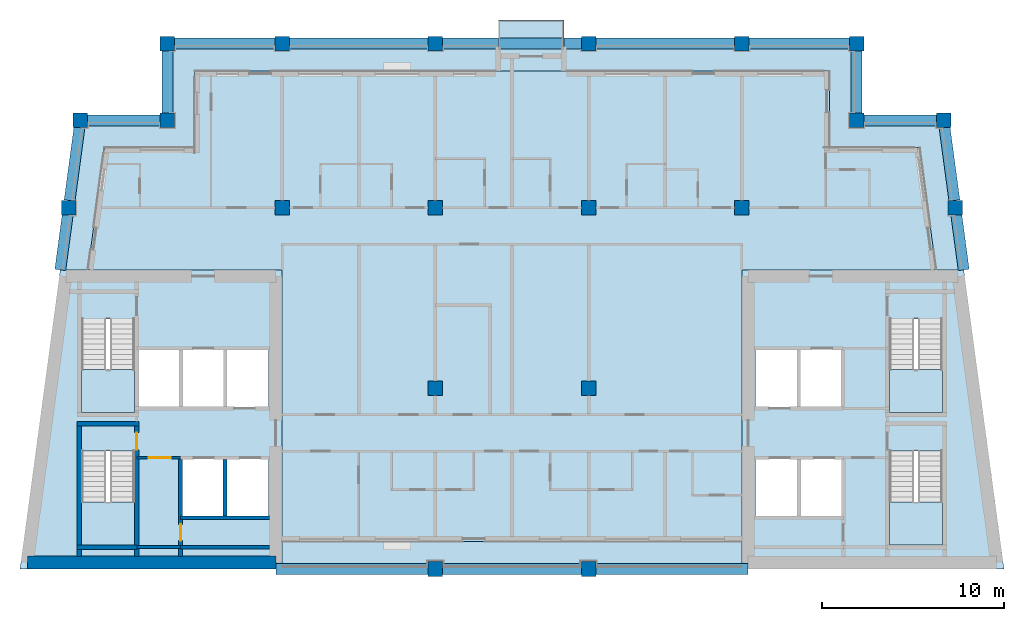
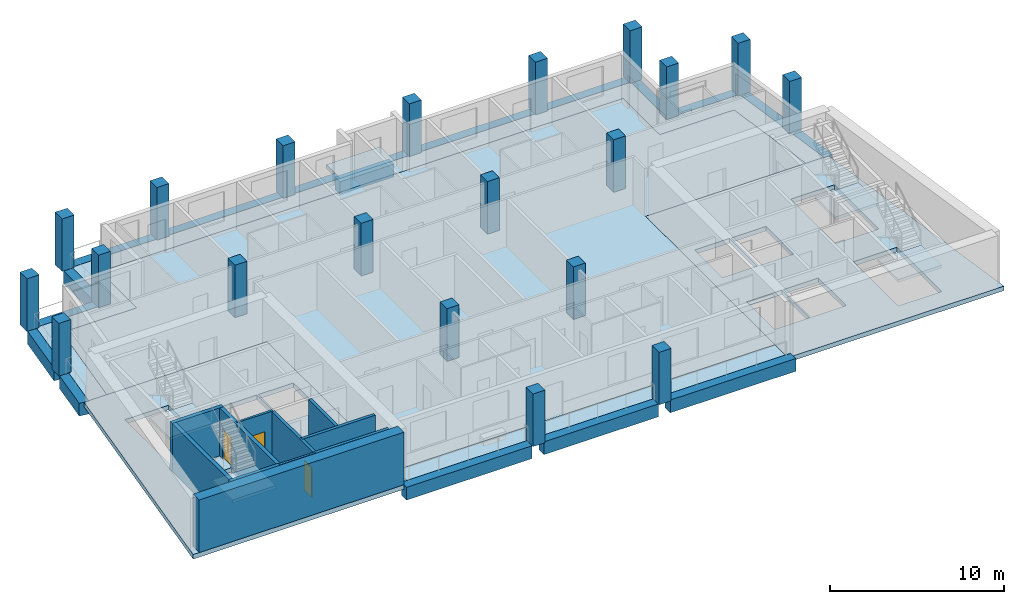
# One storey, part 1 of 10: 20 columns, 18 beams, 11 walls, 10 slabs, 3 doors, 3 openings, 4 elements without a shape of their own.
"""IFC4 building model written with IfcOpenShell, lengths in metres."""

from ifc_helpers import new_model, si_unit, direction, frame, frame_2d, origin, origin_2d, place, context, subcontext, project, spatial, polyline, rectangle, outline, extrude, material, layer, layer_set, material_profile, profile_set, type_object, element, fill, aggregate, save


model = new_model("IFC4")

# Units and contexts
model_context = context("Model", 3, precision=1e-05, world=origin(), true_north=direction((0.0, 1.0)))
body_context = subcontext(model_context, "Body", "Model", "MODEL_VIEW")
ifc_project = project(units=[si_unit("LENGTHUNIT", "METRE"), si_unit("AREAUNIT", "SQUARE_METRE"), si_unit("VOLUMEUNIT", "CUBIC_METRE"), si_unit("PLANEANGLEUNIT", "RADIAN"), si_unit("MASSUNIT", "GRAM", prefix="KILO")], contexts=[model_context])

# Site, building, storey
site_placement = place(None, origin())
site = spatial("IfcSite", under=ifc_project, at=site_placement, CompositionType="ELEMENT")
building_placement = place(site_placement, origin())
building = spatial("IfcBuilding", under=site, at=building_placement, Name="Candeia Pilgrim Tower and Theatre", CompositionType="ELEMENT")
storey_placement = place(building_placement, frame((0.0, 0.0, 292.300048828125)))
storey = spatial("IfcBuildingStorey", under=building, at=storey_placement, Name="L71", CompositionType="ELEMENT", Elevation=292.300048828125)

# Columns
ifc_material_1 = material(Name="Concrete C40/50", Category="concrete")
ifc_material_profile_1 = material_profile(ifc_material_1, rectangle(XDim=0.800048828125, YDim=0.800048828125, at=origin_2d()))
ifc_profile_set_1 = profile_set([ifc_material_profile_1], Name="Concrete C40/50")
column_type = type_object("IfcColumnType", Name="RC 800x800 C40/50", PredefinedType="COLUMN", material=ifc_profile_set_1)
for number, where, z_axis, x_axis, name in (
    (1, (94.5, 140.60009765625, 0.0), (0.0, 0.0, 1.0), (1.0, 0.0, 0.0), "Column NNW"),
    (2, (132.300048828125, 140.60009765625, 0.0), (0.0, 0.0, 1.0), (1.0, 0.0, 0.0), "Column NNE"),
    (3, (89.734619140625, 140.60009765625, 0.0), (0.0, 0.0, 1.0), (1.0, 0.0, 0.0), "Column LNW"),
    (4, (137.0654296875, 140.60009765625, 0.0), (0.0, 0.0, 1.0), (1.0, 0.0, 0.0), "Column LNE"),
    (5, (109.199951171875, 116.0, 0.0), (0.0, 0.0, 1.0), (1.0, 0.0, 0.0), "Column C3"),
    (6, (117.60009765625, 116.0, 0.0), (0.0, 0.0, 1.0), (1.0, 0.0, 0.0), "Column C4"),
    (7, (109.199951171875, 125.89990234375, 0.0), (0.0, 0.0, 1.0), (1.0, 0.0, 0.0), "Column D3"),
    (8, (117.60009765625, 125.89990234375, 0.0), (0.0, 0.0, 1.0), (1.0, 0.0, 0.0), "Column D4"),
    (9, (100.800048828125, 135.800048828125, 0.0), (0.0, 0.0, 1.0), (1.0, 0.0, 0.0), "Column E2"),
    (10, (109.199951171875, 135.800048828125, 0.0), (0.0, 0.0, 1.0), (1.0, 0.0, 0.0), "Column E3"),
    (11, (117.60009765625, 135.800048828125, 0.0), (0.0, 0.0, 1.0), (1.0, 0.0, 0.0), "Column E4"),
    (12, (126.0, 135.800048828125, 0.0), (0.0, 0.0, 1.0), (1.0, 0.0, 0.0), "Column E5"),
    (13, (89.08837890625, 135.800048828125, 0.0), (0.0, 0.0, 1.0), (1.0, 0.0, 0.0), "Column EW"),
    (14, (137.71142578125, 135.800048828125, 0.0), (0.0, 0.0, 1.0), (1.0, 0.0, 0.0), "Column EE"),
    (15, (100.800048828125, 144.800048828125, 0.0), (0.0, 0.0, 1.0), (1.0, 0.0, 0.0), "Column F2"),
    (16, (109.199951171875, 144.800048828125, 0.0), (0.0, 0.0, 1.0), (1.0, 0.0, 0.0), "Column F3"),
    (17, (117.60009765625, 144.800048828125, 0.0), (0.0, 0.0, 1.0), (1.0, 0.0, 0.0), "Column F4"),
    (18, (126.0, 144.800048828125, 0.0), (0.0, 0.0, 1.0), (1.0, 0.0, 0.0), "Column F5"),
    (19, (94.5, 144.800048828125, 0.0), (0.0, 0.0, 1.0), (1.0, 0.0, 0.0), "Column FW"),
    (20, (132.300048828125, 144.800048828125, 0.0), (0.0, 0.0, 1.0), (1.0, 0.0, 0.0), "Column FE"),
):
    element("IfcColumn", number, at=place(storey_placement, frame(where, z_axis=z_axis, x_axis=x_axis)), inside=storey, type_object=column_type, Name=name, PredefinedType="COLUMN", context=body_context, shape_type="SweptSolid", body=[
        extrude(rectangle(XDim=0.800048828125, YDim=0.800048828125, at=origin_2d()), origin(), (0.0, 0.0, 1.0), 3.699951171875),
    ])

# Beams
ifc_material_profile_2 = material_profile(ifc_material_1, rectangle(XDim=0.60009765625, YDim=0.89990234375, at=origin_2d()))
ifc_profile_set_2 = profile_set([ifc_material_profile_2], Name="Concrete C40/50")
beam_type = type_object("IfcBeamType", Name="RC 600x900 C40/50", PredefinedType="BEAM", material=ifc_profile_set_2)
beam_1_placement = place(storey_placement, frame((90.134521484375, 140.60009765625, -0.449951171875), z_axis=(1.0, 0.0, 0.0), x_axis=(0.0, 1.0, 0.0)))
element("IfcBeam", 21, at=beam_1_placement, inside=storey, type_object=beam_type, Name="Spandrel beam L71-01", PredefinedType="BEAM", context=body_context, shape_type="SweptSolid", body=[
    extrude(rectangle(XDim=0.60009765625, YDim=0.89990234375, at=origin_2d()), origin(), (0.0, 0.0, 1.0), 3.965576171875),
])
beam_2_placement = place(storey_placement, frame((94.5, 141.0, -0.449951171875), z_axis=(0.0, 1.0, 0.0), x_axis=(-1.0, 0.0, 0.0)))
element("IfcBeam", 22, at=beam_2_placement, inside=storey, type_object=beam_type, Name="Spandrel beam L71-02", PredefinedType="BEAM", context=body_context, shape_type="SweptSolid", body=[
    extrude(rectangle(XDim=0.60009765625, YDim=0.89990234375, at=origin_2d()), origin(), (0.0, 0.0, 1.0), 3.39990234375),
])
beam_3_placement = place(storey_placement, frame((94.89990234375, 144.800048828125, -0.449951171875), z_axis=(1.0, 0.0, 0.0), x_axis=(0.0, 1.0, 0.0)))
element("IfcBeam", 23, at=beam_3_placement, inside=storey, type_object=beam_type, Name="Spandrel beam L71-03", PredefinedType="BEAM", context=body_context, shape_type="SweptSolid", body=[
    extrude(rectangle(XDim=0.60009765625, YDim=0.89990234375, at=origin_2d()), origin(), (0.0, 0.0, 1.0), 5.5),
])
beam_4_placement = place(storey_placement, frame((101.199951171875, 144.800048828125, -0.449951171875), z_axis=(1.0, 0.0, 0.0), x_axis=(0.0, 1.0, 0.0)))
element("IfcBeam", 24, at=beam_4_placement, inside=storey, type_object=beam_type, Name="Spandrel beam L71-04", PredefinedType="BEAM", context=body_context, shape_type="SweptSolid", body=[
    extrude(rectangle(XDim=0.60009765625, YDim=0.89990234375, at=origin_2d()), origin(), (0.0, 0.0, 1.0), 7.60009765625),
])
beam_5_placement = place(storey_placement, frame((109.60009765625, 144.800048828125, -0.449951171875), z_axis=(1.0, 0.0, 0.0), x_axis=(0.0, 1.0, 0.0)))
element("IfcBeam", 25, at=beam_5_placement, inside=storey, type_object=beam_type, Name="Spandrel beam L71-05", PredefinedType="BEAM", context=body_context, shape_type="SweptSolid", body=[
    extrude(rectangle(XDim=0.60009765625, YDim=0.89990234375, at=origin_2d()), origin(), (0.0, 0.0, 1.0), 3.0498046875),
])
beam_6_placement = place(storey_placement, frame((112.64990234375, 144.800048828125, -0.699951171875), z_axis=(1.0, 0.0, 0.0), x_axis=(0.0, 1.0, 0.0)))
element("IfcBeam", 26, at=beam_6_placement, inside=storey, type_object=beam_type, Name="Spandrel beam L71-06", PredefinedType="BEAM", context=body_context, shape_type="SweptSolid", body=[
    extrude(rectangle(XDim=0.60009765625, YDim=0.89990234375, at=origin_2d()), origin(), (0.0, 0.0, 1.0), 3.60009765625),
])
beam_7_placement = place(storey_placement, frame((116.25, 144.800048828125, -0.449951171875), z_axis=(1.0, 0.0, 0.0), x_axis=(0.0, 1.0, 0.0)))
element("IfcBeam", 27, at=beam_7_placement, inside=storey, type_object=beam_type, Name="Spandrel beam L71-07", PredefinedType="BEAM", context=body_context, shape_type="SweptSolid", body=[
    extrude(rectangle(XDim=0.60009765625, YDim=0.89990234375, at=origin_2d()), origin(), (0.0, 0.0, 1.0), 0.949951171875),
])
beam_8_placement = place(storey_placement, frame((118.0, 144.800048828125, -0.449951171875), z_axis=(1.0, 0.0, 0.0), x_axis=(0.0, 1.0, 0.0)))
element("IfcBeam", 28, at=beam_8_placement, inside=storey, type_object=beam_type, Name="Spandrel beam L71-08", PredefinedType="BEAM", context=body_context, shape_type="SweptSolid", body=[
    extrude(rectangle(XDim=0.60009765625, YDim=0.89990234375, at=origin_2d()), origin(), (0.0, 0.0, 1.0), 7.60009765625),
])
beam_9_placement = place(storey_placement, frame((126.39990234375, 144.800048828125, -0.449951171875), z_axis=(1.0, 0.0, 0.0), x_axis=(0.0, 1.0, 0.0)))
element("IfcBeam", 29, at=beam_9_placement, inside=storey, type_object=beam_type, Name="Spandrel beam L71-09", PredefinedType="BEAM", context=body_context, shape_type="SweptSolid", body=[
    extrude(rectangle(XDim=0.60009765625, YDim=0.89990234375, at=origin_2d()), origin(), (0.0, 0.0, 1.0), 5.5),
])
beam_10_placement = place(storey_placement, frame((132.300048828125, 144.39990234375, -0.449951171875), z_axis=(0.0, -1.0, 0.0), x_axis=(1.0, 0.0, 0.0)))
element("IfcBeam", 30, at=beam_10_placement, inside=storey, type_object=beam_type, Name="Spandrel beam L71-10", PredefinedType="BEAM", context=body_context, shape_type="SweptSolid", body=[
    extrude(rectangle(XDim=0.60009765625, YDim=0.89990234375, at=origin_2d()), origin(), (0.0, 0.0, 1.0), 3.39990234375),
])
beam_11_placement = place(storey_placement, frame((132.699951171875, 140.60009765625, -0.449951171875), z_axis=(1.0, 0.0, 0.0), x_axis=(0.0, 1.0, 0.0)))
element("IfcBeam", 31, at=beam_11_placement, inside=storey, type_object=beam_type, Name="Spandrel beam L71-11", PredefinedType="BEAM", context=body_context, shape_type="SweptSolid", body=[
    extrude(rectangle(XDim=0.60009765625, YDim=0.89990234375, at=origin_2d()), origin(), (0.0, 0.0, 1.0), 3.96533203125),
])
beam_12_placement = place(storey_placement, frame((137.119140625, 140.199951171875, -0.449951171875), z_axis=(0.133439433328, -0.991056969923, 0.0), x_axis=(0.991056969923, 0.133439433328, 0.0)))
element("IfcBeam", 32, at=beam_12_placement, inside=storey, type_object=beam_type, Name="Spandrel beam L71-12", PredefinedType="BEAM", context=body_context, shape_type="SweptSolid", body=[
    extrude(rectangle(XDim=0.60009765625, YDim=0.89990234375, at=origin_2d()), origin(), (0.0, 0.0, 1.0), 4.0361328125),
])
beam_13_placement = place(storey_placement, frame((137.765380859375, 135.39990234375, -0.449951171875), z_axis=(0.133399824849, -0.991062302144, 0.0), x_axis=(0.991062302144, 0.133399824849, 0.0)))
element("IfcBeam", 33, at=beam_13_placement, inside=storey, type_object=beam_type, Name="Spandrel beam L71-13", PredefinedType="BEAM", context=body_context, shape_type="SweptSolid", body=[
    extrude(rectangle(XDim=0.60009765625, YDim=0.89990234375, at=origin_2d()), origin(), (0.0, 0.0, 1.0), 3.027099609375),
])
beam_14_placement = place(storey_placement, frame((126.35009765625, 116.0, -0.449951171875), z_axis=(-1.0, 0.0, 0.0), x_axis=(0.0, -1.0, 0.0)))
element("IfcBeam", 34, at=beam_14_placement, inside=storey, type_object=beam_type, Name="Spandrel beam L71-14", PredefinedType="BEAM", context=body_context, shape_type="SweptSolid", body=[
    extrude(rectangle(XDim=0.60009765625, YDim=0.89990234375, at=origin_2d()), origin(), (0.0, 0.0, 1.0), 8.35009765625),
])
beam_15_placement = place(storey_placement, frame((117.199951171875, 116.0, -0.449951171875), z_axis=(-1.0, 0.0, 0.0), x_axis=(0.0, -1.0, 0.0)))
element("IfcBeam", 35, at=beam_15_placement, inside=storey, type_object=beam_type, Name="Spandrel beam L71-15", PredefinedType="BEAM", context=body_context, shape_type="SweptSolid", body=[
    extrude(rectangle(XDim=0.60009765625, YDim=0.89990234375, at=origin_2d()), origin(), (0.0, 0.0, 1.0), 7.599853515625),
])
beam_16_placement = place(storey_placement, frame((108.800048828125, 116.0, -0.449951171875), z_axis=(-1.0, 0.0, 0.0), x_axis=(0.0, -1.0, 0.0)))
element("IfcBeam", 36, at=beam_16_placement, inside=storey, type_object=beam_type, Name="Spandrel beam L71-16", PredefinedType="BEAM", context=body_context, shape_type="SweptSolid", body=[
    extrude(rectangle(XDim=0.60009765625, YDim=0.89990234375, at=origin_2d()), origin(), (0.0, 0.0, 1.0), 8.35009765625),
])
beam_17_placement = place(storey_placement, frame((88.630859375, 132.39990234375, -0.449951171875), z_axis=(0.133399824849, 0.991062302144, 0.0), x_axis=(-0.991062302144, 0.133399824849, 0.0)))
element("IfcBeam", 37, at=beam_17_placement, inside=storey, type_object=beam_type, Name="Spandrel beam L71-17", PredefinedType="BEAM", context=body_context, shape_type="SweptSolid", body=[
    extrude(rectangle(XDim=0.60009765625, YDim=0.89990234375, at=origin_2d()), origin(), (0.0, 0.0, 1.0), 3.027099609375),
])
beam_18_placement = place(storey_placement, frame((89.142333984375, 136.199951171875, -0.449951171875), z_axis=(0.13338002037, 0.991064967682, 0.0), x_axis=(-0.991064967682, 0.13338002037, 0.0)))
element("IfcBeam", 38, at=beam_18_placement, inside=storey, type_object=beam_type, Name="Spandrel beam L71-18", PredefinedType="BEAM", context=body_context, shape_type="SweptSolid", body=[
    extrude(rectangle(XDim=0.60009765625, YDim=0.89990234375, at=origin_2d()), origin(), (0.0, 0.0, 1.0), 4.0361328125),
])

# Slabs
ifc_layer_1 = layer(ifc_material_1, 0.25)
ifc_layer_set_1 = layer_set([ifc_layer_1], Name="BK1 balcony slab 250")
slab_type_1 = type_object("IfcSlabType", Name="BK1 balcony slab 250", PredefinedType="USERDEFINED", material=ifc_layer_set_1)
slab_1_placement = place(storey_placement, frame((0.0, 0.0, -0.25)))
element("IfcSlab", 39, at=slab_1_placement, inside=storey, type_object=slab_type_1, Name="Balcony L71", ObjectType="BALCONY", PredefinedType="USERDEFINED", context=body_context, shape_type="SweptSolid", body=[
    extrude(outline(polyline([(112.64990234375, 144.5), (116.25, 144.5), (116.25, 146.10009765625), (112.64990234375, 146.10009765625), (112.64990234375, 144.5)])), origin(), (0.0, 0.0, 1.0), 0.25),
])
ifc_material_2 = material(Name="Concrete C60/75", Category="concrete")
ifc_layer_2 = layer(ifc_material_2, 0.320068359375)
ifc_layer_set_2 = layer_set([ifc_layer_2], Name="FS-CORE 320 core floor")
slab_type_2 = type_object("IfcSlabType", Name="FS-CORE 320 core floor", PredefinedType="FLOOR", material=ifc_layer_set_2)
slab_2_placement = place(storey_placement, frame((0.0, 0.0, -0.320068359375)))
element("IfcSlab", 40, at=slab_2_placement, inside=storey, type_object=slab_type_2, Name="Core floor W L71", PredefinedType="FLOOR", context=body_context, shape_type="SweptSolid", body=[
    extrude(outline(polyline([(100.800048828125, 132.39990234375), (100.800048828125, 116.0), (86.423095703125, 116.0), (88.630859375, 132.39990234375), (100.800048828125, 132.39990234375)]), holes=[polyline([(97.71337890625, 122.050048828125), (97.71337890625, 118.85009765625), (100.050048828125, 118.85009765625), (100.050048828125, 122.050048828125), (97.71337890625, 122.050048828125)]), polyline([(97.7255859375, 128.050048828125), (97.7255859375, 124.85009765625), (100.050048828125, 124.85009765625), (100.050048828125, 128.050048828125), (97.7255859375, 128.050048828125)]), polyline([(95.30126953125, 128.050048828125), (95.30126953125, 124.85009765625), (97.625732421875, 124.85009765625), (97.625732421875, 128.050048828125), (95.30126953125, 128.050048828125)]), polyline([(95.277099609375, 122.050048828125), (95.277099609375, 118.85009765625), (97.613525390625, 118.85009765625), (97.613525390625, 122.050048828125), (95.277099609375, 122.050048828125)]), polyline([(92.876953125, 128.050048828125), (92.876953125, 124.85009765625), (95.201416015625, 124.85009765625), (95.201416015625, 128.050048828125), (92.876953125, 128.050048828125)]), polyline([(89.802001953125, 117.324951171875), (92.701904296875, 117.324951171875), (92.701904296875, 122.455078125), (89.802001953125, 122.455078125), (89.802001953125, 117.324951171875)]), polyline([(89.802001953125, 129.705078125), (89.802001953125, 124.574951171875), (92.701904296875, 124.574951171875), (92.701904296875, 129.705078125), (89.802001953125, 129.705078125)])]), origin(), (0.0, 0.0, 1.0), 0.320068359375),
])
slab_3_placement = place(storey_placement, frame((0.0, 0.0, -0.320068359375)))
element("IfcSlab", 41, at=slab_3_placement, inside=storey, type_object=slab_type_2, Name="Core floor E L71", PredefinedType="FLOOR", context=body_context, shape_type="SweptSolid", body=[
    extrude(outline(polyline([(138.169189453125, 132.39990234375), (140.376953125, 116.0), (126.0, 116.0), (126.0, 132.39990234375), (138.169189453125, 132.39990234375)]), holes=[polyline([(134.097900390625, 117.324951171875), (136.998046875, 117.324951171875), (136.998046875, 122.455078125), (134.097900390625, 122.455078125), (134.097900390625, 117.324951171875)]), polyline([(134.097900390625, 129.705078125), (134.097900390625, 124.574951171875), (136.998046875, 124.574951171875), (136.998046875, 129.705078125), (134.097900390625, 129.705078125)]), polyline([(131.52294921875, 122.050048828125), (129.1865234375, 122.050048828125), (129.1865234375, 118.85009765625), (131.52294921875, 118.85009765625), (131.52294921875, 122.050048828125)]), polyline([(131.498779296875, 128.050048828125), (129.17431640625, 128.050048828125), (129.17431640625, 124.85009765625), (131.498779296875, 124.85009765625), (131.498779296875, 128.050048828125)]), polyline([(129.08642578125, 122.050048828125), (126.75, 122.050048828125), (126.75, 118.85009765625), (129.08642578125, 118.85009765625), (129.08642578125, 122.050048828125)]), polyline([(126.75, 128.050048828125), (126.75, 124.85009765625), (129.07421875, 124.85009765625), (129.07421875, 128.050048828125), (126.75, 128.050048828125)])]), origin(), (0.0, 0.0, 1.0), 0.320068359375),
])
ifc_material_3 = material(Name="Concrete C50/60", Category="concrete")
ifc_layer_3 = layer(ifc_material_3, 0.320068359375)
ifc_layer_set_3 = layer_set([ifc_layer_3], Name="Floor slab 320 C50/60")
slab_type_3 = type_object("IfcSlabType", Name="Floor slab 320 C50/60", PredefinedType="FLOOR", material=ifc_layer_set_3)
slab_4_placement = place(storey_placement, frame((0.0, 0.0, -0.320068359375)))
element("IfcSlab", 42, at=slab_4_placement, inside=storey, type_object=slab_type_3, Name="Floor slab L71", PredefinedType="FLOOR", context=body_context, shape_type="SweptSolid", body=[
    extrude(outline(polyline([(96.0, 139.10009765625), (96.0, 143.300048828125), (130.800048828125, 143.300048828125), (130.800048828125, 139.10009765625), (135.753662109375, 139.10009765625), (136.65576171875, 132.39990234375), (126.0, 132.39990234375), (126.0, 117.5), (100.800048828125, 117.5), (100.800048828125, 132.39990234375), (90.144287109375, 132.39990234375), (91.046142578125, 139.10009765625), (96.0, 139.10009765625)])), origin(), (0.0, 0.0, 1.0), 0.320068359375),
])
ifc_layer_4 = layer(ifc_material_1, 0.25)
ifc_layer_set_4 = layer_set([ifc_layer_4], Name="Loggia slab 250 C40/50")
slab_type_4 = type_object("IfcSlabType", Name="Loggia slab 250 C40/50", PredefinedType="FLOOR", material=ifc_layer_set_4)
slab_5_placement = place(storey_placement, frame((0.0, 0.0, -0.25)))
element("IfcSlab", 43, at=slab_5_placement, inside=storey, type_object=slab_type_4, Name="Loggia slab L71 1", PredefinedType="FLOOR", context=body_context, shape_type="SweptSolid", body=[
    extrude(outline(polyline([(100.800048828125, 117.5), (126.0, 117.5), (126.0, 116.300048828125), (100.800048828125, 116.300048828125), (100.800048828125, 117.5)])), origin(), (0.0, 0.0, 1.0), 0.25),
])
slab_6_placement = place(storey_placement, frame((0.0, 0.0, -0.25)))
element("IfcSlab", 44, at=slab_6_placement, inside=storey, type_object=slab_type_4, Name="Loggia slab L71 2", PredefinedType="FLOOR", context=body_context, shape_type="SweptSolid", body=[
    extrude(outline(polyline([(136.65576171875, 132.39990234375), (135.753662109375, 139.10009765625), (130.800048828125, 139.10009765625), (130.800048828125, 143.300048828125), (96.0, 143.300048828125), (96.0, 139.10009765625), (91.046142578125, 139.10009765625), (90.144287109375, 132.39990234375), (88.93359375, 132.39990234375), (89.996826171875, 140.300048828125), (94.800048828125, 140.300048828125), (94.800048828125, 144.5), (132.0, 144.5), (132.0, 140.300048828125), (136.802978515625, 140.300048828125), (137.866455078125, 132.39990234375), (136.65576171875, 132.39990234375)])), origin(), (0.0, 0.0, 1.0), 0.25),
])

# Stair, slab
stair_type = type_object("IfcStairType", Name="ST-TWR dog-leg escape stair", PredefinedType="HALF_TURN_STAIR", material=ifc_material_1)
stair_1_placement = place(storey_placement, origin())
stair_1 = element("IfcStair", 45, at=stair_1_placement, inside=storey, type_object=stair_type, Name="L71 Escape stair ST1", PredefinedType="HALF_TURN_STAIR")
ifc_layer_5 = layer(ifc_material_1, 0.199951171875)
ifc_layer_set_5 = layer_set([ifc_layer_5], Name="SL-LANDING stair landing")
slab_type_5 = type_object("IfcSlabType", Name="SL-LANDING stair landing", PredefinedType="LANDING", material=ifc_layer_set_5)
slab_7_placement = place(storey_placement, frame((0.0, 0.0, 1.64990234375)))
slab_7 = element("IfcSlab", 46, at=slab_7_placement, type_object=slab_type_5, Name="ST1 landing 1", PredefinedType="LANDING", context=body_context, shape_type="SweptSolid", body=[
    extrude(outline(polyline([(89.802001953125, 119.675048828125), (89.802001953125, 117.324951171875), (92.701904296875, 117.324951171875), (92.701904296875, 119.675048828125), (89.802001953125, 119.675048828125)])), origin(), (0.0, 0.0, 1.0), 0.199951171875),
])
aggregate(stair_1, [slab_7])

stair_2_placement = place(storey_placement, origin())
stair_2 = element("IfcStair", 47, at=stair_2_placement, inside=storey, type_object=stair_type, Name="L71 Escape stair ST2", PredefinedType="HALF_TURN_STAIR")
slab_8_placement = place(storey_placement, frame((0.0, 0.0, 1.64990234375)))
slab_8 = element("IfcSlab", 48, at=slab_8_placement, type_object=slab_type_5, Name="ST2 landing 1", PredefinedType="LANDING", context=body_context, shape_type="SweptSolid", body=[
    extrude(outline(polyline([(89.802001953125, 126.925048828125), (89.802001953125, 124.574951171875), (92.701904296875, 124.574951171875), (92.701904296875, 126.925048828125), (89.802001953125, 126.925048828125)])), origin(), (0.0, 0.0, 1.0), 0.199951171875),
])
aggregate(stair_2, [slab_8])

stair_3_placement = place(storey_placement, origin())
stair_3 = element("IfcStair", 49, at=stair_3_placement, inside=storey, type_object=stair_type, Name="L71 Escape stair ST3", PredefinedType="HALF_TURN_STAIR")
slab_9_placement = place(storey_placement, frame((0.0, 0.0, 1.64990234375)))
slab_9 = element("IfcSlab", 50, at=slab_9_placement, type_object=slab_type_5, Name="ST3 landing 1", PredefinedType="LANDING", context=body_context, shape_type="SweptSolid", body=[
    extrude(outline(polyline([(134.097900390625, 119.675048828125), (134.097900390625, 117.324951171875), (136.998046875, 117.324951171875), (136.998046875, 119.675048828125), (134.097900390625, 119.675048828125)])), origin(), (0.0, 0.0, 1.0), 0.199951171875),
])
aggregate(stair_3, [slab_9])

stair_4_placement = place(storey_placement, origin())
stair_4 = element("IfcStair", 51, at=stair_4_placement, inside=storey, type_object=stair_type, Name="L71 Escape stair ST4", PredefinedType="HALF_TURN_STAIR")
slab_10_placement = place(storey_placement, frame((0.0, 0.0, 1.64990234375)))
slab_10 = element("IfcSlab", 52, at=slab_10_placement, type_object=slab_type_5, Name="ST4 landing 1", PredefinedType="LANDING", context=body_context, shape_type="SweptSolid", body=[
    extrude(outline(polyline([(134.097900390625, 126.925048828125), (134.097900390625, 124.574951171875), (136.998046875, 124.574951171875), (136.998046875, 126.925048828125), (134.097900390625, 126.925048828125)])), origin(), (0.0, 0.0, 1.0), 0.199951171875),
])
aggregate(stair_4, [slab_10])

# Walls
ifc_layer_6 = layer(ifc_material_1, 0.699951171875)
ifc_layer_set_6 = layer_set([ifc_layer_6], Name="Core wall 700 C40/50")
wall_type_1 = type_object("IfcWallType", Name="Core wall 700 C40/50", PredefinedType="SHEAR", material=ifc_layer_set_6)
wall_1_placement = place(storey_placement, frame((100.449951171875, 116.35009765625, 0.0), z_axis=(0.0, 0.0, 1.0), x_axis=(-1.0, 0.0, 0.0)))
element("IfcWall", 53, at=wall_1_placement, inside=storey, type_object=wall_type_1, Name="Core wall W3", PredefinedType="SHEAR", context=body_context, shape_type="SweptSolid", body=[
    extrude(rectangle(XDim=13.626708984375, YDim=0.699951171875, at=frame_2d((6.8134765625, 0.0))), origin(), (0.0, 0.0, 1.0), 3.699951171875),
])
ifc_material_4 = material(Name="Gypsum board partition on steel studs", Category="steel")
ifc_layer_7 = layer(ifc_material_4, 0.14990234375)
ifc_layer_set_7 = layer_set([ifc_layer_7], Name="PW-150 lobby wall")
wall_type_2 = type_object("IfcWallType", Name="PW-150 lobby wall", PredefinedType="PARTITIONING", material=ifc_layer_set_7)
wall_2_placement = place(storey_placement, frame((92.826904296875, 117.199951171875, 0.0), z_axis=(0.0, 0.0, 1.0), x_axis=(1.0, 0.0, 0.0)))
element("IfcWall", 54, at=wall_2_placement, inside=storey, type_object=wall_type_2, Name="Lobby wall L71-003", PredefinedType="PARTITIONING", context=body_context, shape_type="SweptSolid", body=[
    extrude(rectangle(XDim=2.400146484375, YDim=0.14990234375, at=frame_2d((1.2001953125, 0.0))), origin(), (0.0, 0.0, 1.0), 3.3798828125),
])

# Wall, opening, door
wall_3_placement = place(storey_placement, frame((92.826904296875, 122.10009765625, 0.0), z_axis=(0.0, 0.0, 1.0), x_axis=(1.0, 0.0, 0.0)))
wall_3 = element("IfcWall", 55, at=wall_3_placement, inside=storey, type_object=wall_type_2, Name="Lobby wall L71-014", PredefinedType="PARTITIONING", context=body_context, shape_type="SweptSolid", body=[
    extrude(rectangle(XDim=2.400146484375, YDim=0.14990234375, at=frame_2d((1.2001953125, 0.0))), origin(), (0.0, 0.0, 1.0), 3.3798828125),
])
opening_1_placement = place(wall_3_placement, frame((0.64990234375, 0.0, 0.0)))
opening_1 = element("IfcOpeningElement", 56, at=opening_1_placement, cuts=wall_3, Name="Opening L71-D001", PredefinedType="OPENING", context=body_context, shape_type="SweptSolid", body=[
    extrude(rectangle(XDim=1.199951171875, YDim=2.10009765625, at=frame_2d((0.60009765625, 1.050048828125))), frame((0.0, 0.0849609375, 0.0), z_axis=(0.0, -1.0, 0.0), x_axis=(1.0, 0.0, 0.0)), (0.0, 0.0, 1.0), 0.169921875),
])
ifc_material_5 = material(Name="Steel fire door set", Category="steel")
door_type_1 = type_object("IfcDoorType", Name="D-1200-FD60", OperationType="NOTDEFINED", PredefinedType="DOOR", material=ifc_material_5)
door_1_placement = place(opening_1_placement, origin())
door_1 = element("IfcDoor", 57, at=door_1_placement, inside=storey, type_object=door_type_1, Name="Door L71-D001", OperationType="SINGLE_SWING_RIGHT", OverallHeight=2.10009765625, OverallWidth=1.199951171875, PredefinedType="DOOR", context=body_context, shape_type="SweptSolid", body=[
    extrude(rectangle(XDim=1.199951171875, YDim=2.10009765625, at=frame_2d((0.60009765625, 1.050048828125))), frame((0.0, 0.02490234375, 0.0), z_axis=(0.0, -1.0, 0.0), x_axis=(1.0, 0.0, 0.0)), (0.0, 0.0, 1.0), 0.050048828125),
])
fill(opening_1, door_1)

# Walls
ifc_layer_8 = layer(ifc_material_1, 0.199951171875)
ifc_layer_set_8 = layer_set([ifc_layer_8], Name="SW-200 shaft wall")
wall_type_3 = type_object("IfcWallType", Name="SW-200 shaft wall", PredefinedType="PARTITIONING", material=ifc_layer_set_8)
for number, where, z_axis, x_axis, name in (
    (58, (95.22705078125, 117.199951171875, 0.0), (0.0, 0.0, 1.0), (1.0, 0.0, 0.0), "Shaft wall L71-001"),
    (59, (95.22705078125, 118.800048828125, 0.0), (0.0, 0.0, 1.0), (1.0, 0.0, 0.0), "Shaft wall L71-007"),
):
    element("IfcWall", number, at=place(storey_placement, frame(where, z_axis=z_axis, x_axis=x_axis)), inside=storey, type_object=wall_type_3, Name=name, PredefinedType="PARTITIONING", context=body_context, shape_type="SweptSolid", body=[
        extrude(rectangle(XDim=4.873046875, YDim=0.199951171875, at=frame_2d((2.4365234375, 0.0))), origin(), (0.0, 0.0, 1.0), 3.3798828125),
    ])

# Wall, opening, door
wall_4_placement = place(storey_placement, frame((95.22705078125, 116.669921875, 0.0), z_axis=(0.0, 0.0, 1.0), x_axis=(0.0, 1.0, 0.0)))
wall_4 = element("IfcWall", 60, at=wall_4_placement, inside=storey, type_object=wall_type_3, Name="Shaft wall L71-046", PredefinedType="PARTITIONING", context=body_context, shape_type="SweptSolid", body=[
    extrude(rectangle(XDim=5.330078125, YDim=0.199951171875, at=frame_2d((2.6650390625, 0.0))), origin(), (0.0, 0.0, 1.0), 3.3798828125),
])
opening_2_placement = place(wall_4_placement, frame((0.8798828125, 0.0, 0.0)))
opening_2 = element("IfcOpeningElement", 61, at=opening_2_placement, cuts=wall_4, Name="Opening L71-D004", PredefinedType="OPENING", context=body_context, shape_type="SweptSolid", body=[
    extrude(rectangle(XDim=0.89990234375, YDim=2.10009765625, at=frame_2d((0.449951171875, 1.050048828125))), frame((0.0, 0.10986328125, 0.0), z_axis=(0.0, -1.0, 0.0), x_axis=(1.0, 0.0, 0.0)), (0.0, 0.0, 1.0), 0.219970703125),
])
door_type_2 = type_object("IfcDoorType", Name="D-900-FD60", OperationType="NOTDEFINED", PredefinedType="DOOR", material=ifc_material_5)
door_2_placement = place(opening_2_placement, origin())
door_2 = element("IfcDoor", 62, at=door_2_placement, inside=storey, type_object=door_type_2, Name="Door L71-D004", OperationType="SINGLE_SWING_LEFT", OverallHeight=2.10009765625, OverallWidth=0.89990234375, PredefinedType="DOOR", context=body_context, shape_type="SweptSolid", body=[
    extrude(rectangle(XDim=0.89990234375, YDim=2.10009765625, at=frame_2d((0.449951171875, 1.050048828125))), frame((0.0, 0.02490234375, 0.0), z_axis=(0.0, -1.0, 0.0), x_axis=(1.0, 0.0, 0.0)), (0.0, 0.0, 1.0), 0.050048828125),
])
fill(opening_2, door_2)

# Walls
wall_5_placement = place(storey_placement, frame((97.66357421875, 118.89990234375, 0.0), z_axis=(0.0, 0.0, 1.0), x_axis=(0.0, 1.0, 0.0)))
element("IfcWall", 63, at=wall_5_placement, inside=storey, type_object=wall_type_3, Name="Shaft wall L71-049", PredefinedType="PARTITIONING", context=body_context, shape_type="SweptSolid", body=[
    extrude(rectangle(XDim=3.10009765625, YDim=0.199951171875, at=frame_2d((1.550048828125, 0.0))), origin(), (0.0, 0.0, 1.0), 3.3798828125),
])
ifc_layer_9 = layer(ifc_material_1, 0.25)
ifc_layer_set_9 = layer_set([ifc_layer_9], Name="SW-250 stair wall")
wall_type_4 = type_object("IfcWallType", Name="SW-250 stair wall", PredefinedType="PARTITIONING", material=ifc_layer_set_9)
wall_6_placement = place(storey_placement, frame((89.552001953125, 117.199951171875, 0.0), z_axis=(0.0, 0.0, 1.0), x_axis=(1.0, 0.0, 0.0)))
element("IfcWall", 64, at=wall_6_placement, inside=storey, type_object=wall_type_4, Name="Stair wall L71-005", PredefinedType="PARTITIONING", context=body_context, shape_type="SweptSolid", body=[
    extrude(rectangle(XDim=3.27490234375, YDim=0.25, at=frame_2d((1.637451171875, 0.0))), origin(), (0.0, 0.0, 1.0), 3.3798828125),
])
wall_7_placement = place(storey_placement, frame((89.552001953125, 123.949951171875, 0.0), z_axis=(0.0, 0.0, 1.0), x_axis=(1.0, 0.0, 0.0)))
element("IfcWall", 65, at=wall_7_placement, inside=storey, type_object=wall_type_4, Name="Stair wall L71-017", PredefinedType="PARTITIONING", context=body_context, shape_type="SweptSolid", body=[
    extrude(rectangle(XDim=3.39990234375, YDim=0.25, at=frame_2d((1.699951171875, 0.0))), origin(), (0.0, 0.0, 1.0), 3.3798828125),
])
wall_8_placement = place(storey_placement, frame((89.677001953125, 116.669921875, 0.0), z_axis=(0.0, 0.0, 1.0), x_axis=(0.0, 1.0, 0.0)))
element("IfcWall", 66, at=wall_8_placement, inside=storey, type_object=wall_type_4, Name="Stair wall L71-040", PredefinedType="PARTITIONING", context=body_context, shape_type="SweptSolid", body=[
    extrude(rectangle(XDim=7.155029296875, YDim=0.25, at=frame_2d((3.57763671875, 0.0))), origin(), (0.0, 0.0, 1.0), 3.3798828125),
])

# Wall, opening, door
wall_9_placement = place(storey_placement, frame((92.826904296875, 116.669921875, 0.0), z_axis=(0.0, 0.0, 1.0), x_axis=(0.0, 1.0, 0.0)))
wall_9 = element("IfcWall", 67, at=wall_9_placement, inside=storey, type_object=wall_type_4, Name="Stair wall L71-043", PredefinedType="PARTITIONING", context=body_context, shape_type="SweptSolid", body=[
    extrude(rectangle(XDim=7.155029296875, YDim=0.25, at=frame_2d((3.57763671875, 0.0))), origin(), (0.0, 0.0, 1.0), 3.3798828125),
])
opening_3_placement = place(wall_9_placement, frame((5.85498046875, 0.0, 0.0)))
opening_3 = element("IfcOpeningElement", 68, at=opening_3_placement, cuts=wall_9, Name="Opening L71-D002", PredefinedType="OPENING", context=body_context, shape_type="SweptSolid", body=[
    extrude(rectangle(XDim=0.949951171875, YDim=2.10009765625, at=frame_2d((0.47509765625, 1.050048828125))), frame((0.0, 0.135009765625, 0.0), z_axis=(0.0, -1.0, 0.0), x_axis=(1.0, 0.0, 0.0)), (0.0, 0.0, 1.0), 0.27001953125),
])
door_type_3 = type_object("IfcDoorType", Name="D-950-FD60", OperationType="NOTDEFINED", PredefinedType="DOOR", material=ifc_material_5)
door_3_placement = place(opening_3_placement, origin())
door_3 = element("IfcDoor", 69, at=door_3_placement, inside=storey, type_object=door_type_3, Name="Door L71-D002", OperationType="SINGLE_SWING_LEFT", OverallHeight=2.10009765625, OverallWidth=0.949951171875, PredefinedType="DOOR", context=body_context, shape_type="SweptSolid", body=[
    extrude(rectangle(XDim=0.949951171875, YDim=2.10009765625, at=frame_2d((0.47509765625, 1.050048828125))), frame((0.0, 0.02490234375, 0.0), z_axis=(0.0, -1.0, 0.0), x_axis=(1.0, 0.0, 0.0)), (0.0, 0.0, 1.0), 0.050048828125),
])
fill(opening_3, door_3)

save(model, "model.ifc")
